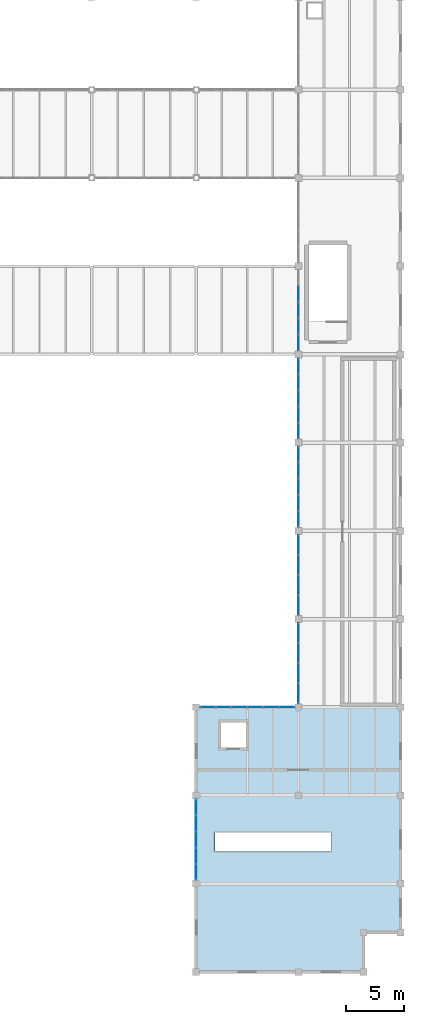
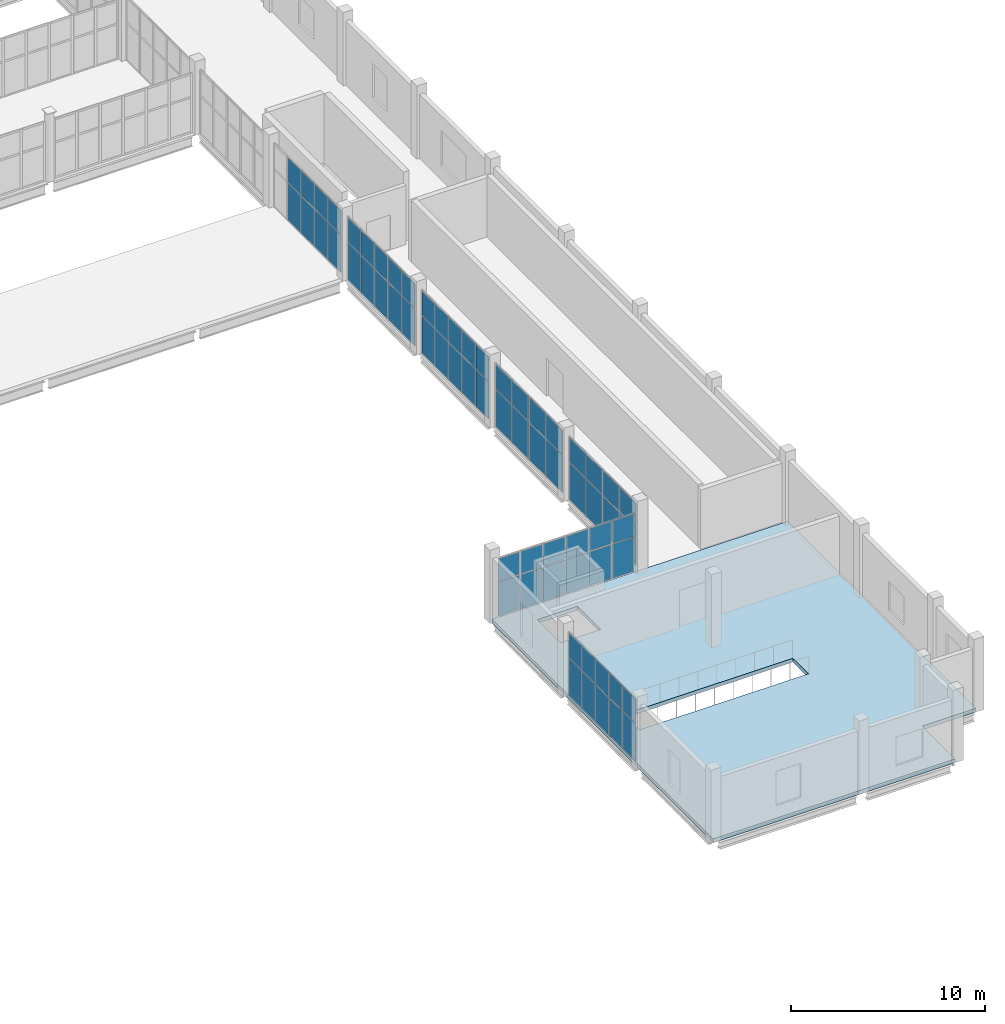
# One storey, part 105 of 136: 66 plates, 1 slab, 9 elements without a shape of their own.
"""IFC4 building model written with IfcOpenShell, lengths in metres."""

from ifc_helpers import new_model, si_unit, direction, frame, origin, origin_2d, place, context, subcontext, project, spatial, polyline, rectangle, outline, extrude, material, layer, layer_set, type_object, element, aggregate, save


model = new_model("IFC4")

# Units and contexts
model_context = context("Model", 3, precision=1e-05, world=origin(), true_north=direction((0.0, 1.0)))
body_context = subcontext(model_context, "Body", "Model", "MODEL_VIEW")
ifc_project = project(units=[si_unit("LENGTHUNIT", "METRE"), si_unit("AREAUNIT", "SQUARE_METRE"), si_unit("VOLUMEUNIT", "CUBIC_METRE"), si_unit("PLANEANGLEUNIT", "RADIAN"), si_unit("MASSUNIT", "GRAM", prefix="KILO")], contexts=[model_context])

# Site, building, storey
site_placement = place(None, origin())
site = spatial("IfcSite", under=ifc_project, at=site_placement, CompositionType="ELEMENT")
building_placement = place(site_placement, origin())
building = spatial("IfcBuilding", under=site, at=building_placement, Name="Shengluoqiao Park Theatre", CompositionType="ELEMENT")
storey_placement = place(building_placement, frame((0.0, 0.0, 10.0)))
storey = spatial("IfcBuildingStorey", under=building, at=storey_placement, Name="L02", CompositionType="ELEMENT", Elevation=10.0)

# Curtain wall, plates
ifc_material_1 = material(Name="Aluminium 6063-T6", Category="aluminium")
curtain_wall_type = type_object("IfcCurtainWallType", Name="ENV-CW-COURT", PredefinedType="NOTDEFINED", material=ifc_material_1)
curtain_wall_1_placement = place(storey_placement, origin())
curtain_wall_1 = element("IfcCurtainWall", 1, at=curtain_wall_1_placement, inside=storey, type_object=curtain_wall_type, Name="L02 Curtain Wall CWX-L02-0190", PredefinedType="NOTDEFINED")
ifc_material_2 = material(Name="Insulated glass", Category="glass")
ifc_layer_1 = layer(ifc_material_2, 0.0380859375, Name="Insulated glass")
ifc_layer_set_1 = layer_set([ifc_layer_1], Name="Insulated glass")
plate_type = type_object("IfcPlateType", Name="ENV-GLZ-GL-38", PredefinedType="CURTAIN_PANEL", material=ifc_layer_set_1)
plate_1_placement = place(storey_placement, frame((157.199951171875, 23.992919921875, 0.06005859375), z_axis=(0.0, 0.0, 1.0), x_axis=(0.0, 1.0, 0.0)))
plate_1 = element("IfcPlate", 2, at=plate_1_placement, type_object=plate_type, Name="CW-05 panel 1.1", PredefinedType="CURTAIN_PANEL", context=body_context, shape_type="SweptSolid", body=[
    extrude(rectangle(XDim=1.657958984375, YDim=0.0380859375, at=origin_2d()), origin(), (0.0, 0.0, 1.0), 2.330078125),
])
plate_2_placement = place(storey_placement, frame((157.199951171875, 23.992919921875, 2.449951171875), z_axis=(0.0, 0.0, 1.0), x_axis=(0.0, 1.0, 0.0)))
plate_2 = element("IfcPlate", 3, at=plate_2_placement, type_object=plate_type, Name="CW-05 panel 1.2", PredefinedType="CURTAIN_PANEL", context=body_context, shape_type="SweptSolid", body=[
    extrude(rectangle(XDim=1.657958984375, YDim=0.0380859375, at=origin_2d()), origin(), (0.0, 0.0, 1.0), 1.52392578125),
])
plate_3_placement = place(storey_placement, frame((157.199951171875, 25.7109375, 0.06005859375), z_axis=(0.0, 0.0, 1.0), x_axis=(0.0, 1.0, 0.0)))
plate_3 = element("IfcPlate", 4, at=plate_3_placement, type_object=plate_type, Name="CW-05 panel 2.1", PredefinedType="CURTAIN_PANEL", context=body_context, shape_type="SweptSolid", body=[
    extrude(rectangle(XDim=1.657958984375, YDim=0.0380859375, at=origin_2d()), origin(), (0.0, 0.0, 1.0), 2.330078125),
])
plate_4_placement = place(storey_placement, frame((157.199951171875, 25.7109375, 2.449951171875), z_axis=(0.0, 0.0, 1.0), x_axis=(0.0, 1.0, 0.0)))
plate_4 = element("IfcPlate", 5, at=plate_4_placement, type_object=plate_type, Name="CW-05 panel 2.2", PredefinedType="CURTAIN_PANEL", context=body_context, shape_type="SweptSolid", body=[
    extrude(rectangle(XDim=1.657958984375, YDim=0.0380859375, at=origin_2d()), origin(), (0.0, 0.0, 1.0), 1.52392578125),
])
aggregate(curtain_wall_1, [plate_1, plate_2, plate_3, plate_4])

curtain_wall_2_placement = place(storey_placement, origin())
curtain_wall_2 = element("IfcCurtainWall", 6, at=curtain_wall_2_placement, inside=storey, type_object=curtain_wall_type, Name="L02 Curtain Wall CWX-L02-0191", PredefinedType="NOTDEFINED")
plate_5_placement = place(storey_placement, frame((157.199951171875, 27.489013671875, 0.06005859375), z_axis=(0.0, 0.0, 1.0), x_axis=(0.0, 1.0, 0.0)))
plate_5 = element("IfcPlate", 7, at=plate_5_placement, type_object=plate_type, Name="CW-05 panel 1.1", PredefinedType="CURTAIN_PANEL", context=body_context, shape_type="SweptSolid", body=[
    extrude(rectangle(XDim=1.657958984375, YDim=0.0380859375, at=origin_2d()), origin(), (0.0, 0.0, 1.0), 2.330078125),
])
plate_6_placement = place(storey_placement, frame((157.199951171875, 27.489013671875, 2.449951171875), z_axis=(0.0, 0.0, 1.0), x_axis=(0.0, 1.0, 0.0)))
plate_6 = element("IfcPlate", 8, at=plate_6_placement, type_object=plate_type, Name="CW-05 panel 1.2", PredefinedType="CURTAIN_PANEL", context=body_context, shape_type="SweptSolid", body=[
    extrude(rectangle(XDim=1.657958984375, YDim=0.0380859375, at=origin_2d()), origin(), (0.0, 0.0, 1.0), 1.52392578125),
])
plate_7_placement = place(storey_placement, frame((157.199951171875, 29.20703125, 0.06005859375), z_axis=(0.0, 0.0, 1.0), x_axis=(0.0, 1.0, 0.0)))
plate_7 = element("IfcPlate", 9, at=plate_7_placement, type_object=plate_type, Name="CW-05 panel 2.1", PredefinedType="CURTAIN_PANEL", context=body_context, shape_type="SweptSolid", body=[
    extrude(rectangle(XDim=1.657958984375, YDim=0.0380859375, at=origin_2d()), origin(), (0.0, 0.0, 1.0), 2.330078125),
])
plate_8_placement = place(storey_placement, frame((157.199951171875, 29.20703125, 2.449951171875), z_axis=(0.0, 0.0, 1.0), x_axis=(0.0, 1.0, 0.0)))
plate_8 = element("IfcPlate", 10, at=plate_8_placement, type_object=plate_type, Name="CW-05 panel 2.2", PredefinedType="CURTAIN_PANEL", context=body_context, shape_type="SweptSolid", body=[
    extrude(rectangle(XDim=1.657958984375, YDim=0.0380859375, at=origin_2d()), origin(), (0.0, 0.0, 1.0), 1.52392578125),
])
aggregate(curtain_wall_2, [plate_5, plate_6, plate_7, plate_8])

curtain_wall_3_placement = place(storey_placement, origin())
curtain_wall_3 = element("IfcCurtainWall", 11, at=curtain_wall_3_placement, inside=storey, type_object=curtain_wall_type, Name="L02 Curtain Wall CWX-L02-0192", PredefinedType="NOTDEFINED")
plate_9_placement = place(storey_placement, frame((157.199951171875, 31.593017578125, 0.06005859375), z_axis=(0.0, 0.0, 1.0), x_axis=(0.0, 1.0, 0.0)))
plate_9 = element("IfcPlate", 12, at=plate_9_placement, type_object=plate_type, Name="CW-05 panel 1.1", PredefinedType="CURTAIN_PANEL", context=body_context, shape_type="SweptSolid", body=[
    extrude(rectangle(XDim=1.657958984375, YDim=0.0380859375, at=origin_2d()), origin(), (0.0, 0.0, 1.0), 2.330078125),
])
plate_10_placement = place(storey_placement, frame((157.199951171875, 31.593017578125, 2.449951171875), z_axis=(0.0, 0.0, 1.0), x_axis=(0.0, 1.0, 0.0)))
plate_10 = element("IfcPlate", 13, at=plate_10_placement, type_object=plate_type, Name="CW-05 panel 1.2", PredefinedType="CURTAIN_PANEL", context=body_context, shape_type="SweptSolid", body=[
    extrude(rectangle(XDim=1.657958984375, YDim=0.0380859375, at=origin_2d()), origin(), (0.0, 0.0, 1.0), 1.52392578125),
])
plate_11_placement = place(storey_placement, frame((157.199951171875, 33.31103515625, 0.06005859375), z_axis=(0.0, 0.0, 1.0), x_axis=(0.0, 1.0, 0.0)))
plate_11 = element("IfcPlate", 14, at=plate_11_placement, type_object=plate_type, Name="CW-05 panel 2.1", PredefinedType="CURTAIN_PANEL", context=body_context, shape_type="SweptSolid", body=[
    extrude(rectangle(XDim=1.657958984375, YDim=0.0380859375, at=origin_2d()), origin(), (0.0, 0.0, 1.0), 2.330078125),
])
plate_12_placement = place(storey_placement, frame((157.199951171875, 33.31103515625, 2.449951171875), z_axis=(0.0, 0.0, 1.0), x_axis=(0.0, 1.0, 0.0)))
plate_12 = element("IfcPlate", 15, at=plate_12_placement, type_object=plate_type, Name="CW-05 panel 2.2", PredefinedType="CURTAIN_PANEL", context=body_context, shape_type="SweptSolid", body=[
    extrude(rectangle(XDim=1.657958984375, YDim=0.0380859375, at=origin_2d()), origin(), (0.0, 0.0, 1.0), 1.52392578125),
])
aggregate(curtain_wall_3, [plate_9, plate_10, plate_11, plate_12])

curtain_wall_4_placement = place(storey_placement, origin())
curtain_wall_4 = element("IfcCurtainWall", 16, at=curtain_wall_4_placement, inside=storey, type_object=curtain_wall_type, Name="L02 Curtain Wall CWX-L02-0193", PredefinedType="NOTDEFINED")
plate_13_placement = place(storey_placement, frame((157.199951171875, 35.089111328125, 0.06005859375), z_axis=(0.0, 0.0, 1.0), x_axis=(0.0, 1.0, 0.0)))
plate_13 = element("IfcPlate", 17, at=plate_13_placement, type_object=plate_type, Name="CW-05 panel 1.1", PredefinedType="CURTAIN_PANEL", context=body_context, shape_type="SweptSolid", body=[
    extrude(rectangle(XDim=1.657958984375, YDim=0.0380859375, at=origin_2d()), origin(), (0.0, 0.0, 1.0), 2.330078125),
])
plate_14_placement = place(storey_placement, frame((157.199951171875, 35.089111328125, 2.449951171875), z_axis=(0.0, 0.0, 1.0), x_axis=(0.0, 1.0, 0.0)))
plate_14 = element("IfcPlate", 18, at=plate_14_placement, type_object=plate_type, Name="CW-05 panel 1.2", PredefinedType="CURTAIN_PANEL", context=body_context, shape_type="SweptSolid", body=[
    extrude(rectangle(XDim=1.657958984375, YDim=0.0380859375, at=origin_2d()), origin(), (0.0, 0.0, 1.0), 1.52392578125),
])
plate_15_placement = place(storey_placement, frame((157.199951171875, 36.806884765625, 0.06005859375), z_axis=(0.0, 0.0, 1.0), x_axis=(0.0, 1.0, 0.0)))
plate_15 = element("IfcPlate", 19, at=plate_15_placement, type_object=plate_type, Name="CW-05 panel 2.1", PredefinedType="CURTAIN_PANEL", context=body_context, shape_type="SweptSolid", body=[
    extrude(rectangle(XDim=1.657958984375, YDim=0.0380859375, at=origin_2d()), origin(), (0.0, 0.0, 1.0), 2.330078125),
])
plate_16_placement = place(storey_placement, frame((157.199951171875, 36.806884765625, 2.449951171875), z_axis=(0.0, 0.0, 1.0), x_axis=(0.0, 1.0, 0.0)))
plate_16 = element("IfcPlate", 20, at=plate_16_placement, type_object=plate_type, Name="CW-05 panel 2.2", PredefinedType="CURTAIN_PANEL", context=body_context, shape_type="SweptSolid", body=[
    extrude(rectangle(XDim=1.657958984375, YDim=0.0380859375, at=origin_2d()), origin(), (0.0, 0.0, 1.0), 1.52392578125),
])
aggregate(curtain_wall_4, [plate_13, plate_14, plate_15, plate_16])

curtain_wall_5_placement = place(storey_placement, origin())
curtain_wall_5 = element("IfcCurtainWall", 21, at=curtain_wall_5_placement, inside=storey, type_object=curtain_wall_type, Name="L02 Curtain Wall CWX-L02-0194", PredefinedType="NOTDEFINED")
plate_17_placement = place(storey_placement, frame((157.199951171875, 39.018310546875, 0.06005859375), z_axis=(0.0, 0.0, 1.0), x_axis=(0.0, 1.0, 0.0)))
plate_17 = element("IfcPlate", 22, at=plate_17_placement, type_object=plate_type, Name="CW-05 panel 1.1", PredefinedType="CURTAIN_PANEL", context=body_context, shape_type="SweptSolid", body=[
    extrude(rectangle(XDim=1.308349609375, YDim=0.0380859375, at=origin_2d()), origin(), (0.0, 0.0, 1.0), 2.330078125),
])
plate_18_placement = place(storey_placement, frame((157.199951171875, 39.018310546875, 2.449951171875), z_axis=(0.0, 0.0, 1.0), x_axis=(0.0, 1.0, 0.0)))
plate_18 = element("IfcPlate", 23, at=plate_18_placement, type_object=plate_type, Name="CW-05 panel 1.2", PredefinedType="CURTAIN_PANEL", context=body_context, shape_type="SweptSolid", body=[
    extrude(rectangle(XDim=1.308349609375, YDim=0.0380859375, at=origin_2d()), origin(), (0.0, 0.0, 1.0), 1.52392578125),
])
plate_19_placement = place(storey_placement, frame((157.199951171875, 40.401611328125, 0.06005859375), z_axis=(0.0, 0.0, 1.0), x_axis=(0.0, 1.0, 0.0)))
plate_19 = element("IfcPlate", 24, at=plate_19_placement, type_object=plate_type, Name="CW-05 panel 2.1", PredefinedType="CURTAIN_PANEL", context=body_context, shape_type="SweptSolid", body=[
    extrude(rectangle(XDim=1.33837890625, YDim=0.0380859375, at=origin_2d()), origin(), (0.0, 0.0, 1.0), 2.330078125),
])
plate_20_placement = place(storey_placement, frame((157.199951171875, 40.401611328125, 2.449951171875), z_axis=(0.0, 0.0, 1.0), x_axis=(0.0, 1.0, 0.0)))
plate_20 = element("IfcPlate", 25, at=plate_20_placement, type_object=plate_type, Name="CW-05 panel 2.2", PredefinedType="CURTAIN_PANEL", context=body_context, shape_type="SweptSolid", body=[
    extrude(rectangle(XDim=1.33837890625, YDim=0.0380859375, at=origin_2d()), origin(), (0.0, 0.0, 1.0), 1.52392578125),
])
plate_21_placement = place(storey_placement, frame((157.199951171875, 41.800048828125, 0.06005859375), z_axis=(0.0, 0.0, 1.0), x_axis=(0.0, 1.0, 0.0)))
plate_21 = element("IfcPlate", 26, at=plate_21_placement, type_object=plate_type, Name="CW-05 panel 3.1", PredefinedType="CURTAIN_PANEL", context=body_context, shape_type="SweptSolid", body=[
    extrude(rectangle(XDim=1.33837890625, YDim=0.0380859375, at=origin_2d()), origin(), (0.0, 0.0, 1.0), 2.330078125),
])
plate_22_placement = place(storey_placement, frame((157.199951171875, 41.800048828125, 2.449951171875), z_axis=(0.0, 0.0, 1.0), x_axis=(0.0, 1.0, 0.0)))
plate_22 = element("IfcPlate", 27, at=plate_22_placement, type_object=plate_type, Name="CW-05 panel 3.2", PredefinedType="CURTAIN_PANEL", context=body_context, shape_type="SweptSolid", body=[
    extrude(rectangle(XDim=1.33837890625, YDim=0.0380859375, at=origin_2d()), origin(), (0.0, 0.0, 1.0), 1.52392578125),
])
plate_23_placement = place(storey_placement, frame((157.199951171875, 43.198486328125, 0.06005859375), z_axis=(0.0, 0.0, 1.0), x_axis=(0.0, 1.0, 0.0)))
plate_23 = element("IfcPlate", 28, at=plate_23_placement, type_object=plate_type, Name="CW-05 panel 4.1", PredefinedType="CURTAIN_PANEL", context=body_context, shape_type="SweptSolid", body=[
    extrude(rectangle(XDim=1.33837890625, YDim=0.0380859375, at=origin_2d()), origin(), (0.0, 0.0, 1.0), 2.330078125),
])
plate_24_placement = place(storey_placement, frame((157.199951171875, 43.198486328125, 2.449951171875), z_axis=(0.0, 0.0, 1.0), x_axis=(0.0, 1.0, 0.0)))
plate_24 = element("IfcPlate", 29, at=plate_24_placement, type_object=plate_type, Name="CW-05 panel 4.2", PredefinedType="CURTAIN_PANEL", context=body_context, shape_type="SweptSolid", body=[
    extrude(rectangle(XDim=1.33837890625, YDim=0.0380859375, at=origin_2d()), origin(), (0.0, 0.0, 1.0), 1.52392578125),
])
plate_25_placement = place(storey_placement, frame((157.199951171875, 44.581787109375, 0.06005859375), z_axis=(0.0, 0.0, 1.0), x_axis=(0.0, 1.0, 0.0)))
plate_25 = element("IfcPlate", 30, at=plate_25_placement, type_object=plate_type, Name="CW-05 panel 5.1", PredefinedType="CURTAIN_PANEL", context=body_context, shape_type="SweptSolid", body=[
    extrude(rectangle(XDim=1.308349609375, YDim=0.0380859375, at=origin_2d()), origin(), (0.0, 0.0, 1.0), 2.330078125),
])
plate_26_placement = place(storey_placement, frame((157.199951171875, 44.581787109375, 2.449951171875), z_axis=(0.0, 0.0, 1.0), x_axis=(0.0, 1.0, 0.0)))
plate_26 = element("IfcPlate", 31, at=plate_26_placement, type_object=plate_type, Name="CW-05 panel 5.2", PredefinedType="CURTAIN_PANEL", context=body_context, shape_type="SweptSolid", body=[
    extrude(rectangle(XDim=1.308349609375, YDim=0.0380859375, at=origin_2d()), origin(), (0.0, 0.0, 1.0), 1.52392578125),
])
aggregate(curtain_wall_5, [plate_17, plate_18, plate_19, plate_20, plate_21, plate_22, plate_23, plate_24, plate_25, plate_26])

curtain_wall_6_placement = place(storey_placement, origin())
curtain_wall_6 = element("IfcCurtainWall", 32, at=curtain_wall_6_placement, inside=storey, type_object=curtain_wall_type, Name="L02 Curtain Wall CWX-L02-0195", PredefinedType="NOTDEFINED")
plate_27_placement = place(storey_placement, frame((157.199951171875, 46.6181640625, 0.06005859375), z_axis=(0.0, 0.0, 1.0), x_axis=(0.0, 1.0, 0.0)))
plate_27 = element("IfcPlate", 33, at=plate_27_placement, type_object=plate_type, Name="CW-05 panel 1.1", PredefinedType="CURTAIN_PANEL", context=body_context, shape_type="SweptSolid", body=[
    extrude(rectangle(XDim=1.308349609375, YDim=0.0380859375, at=origin_2d()), origin(), (0.0, 0.0, 1.0), 2.330078125),
])
plate_28_placement = place(storey_placement, frame((157.199951171875, 46.6181640625, 2.449951171875), z_axis=(0.0, 0.0, 1.0), x_axis=(0.0, 1.0, 0.0)))
plate_28 = element("IfcPlate", 34, at=plate_28_placement, type_object=plate_type, Name="CW-05 panel 1.2", PredefinedType="CURTAIN_PANEL", context=body_context, shape_type="SweptSolid", body=[
    extrude(rectangle(XDim=1.308349609375, YDim=0.0380859375, at=origin_2d()), origin(), (0.0, 0.0, 1.0), 1.52392578125),
])
plate_29_placement = place(storey_placement, frame((157.199951171875, 48.001708984375, 0.06005859375), z_axis=(0.0, 0.0, 1.0), x_axis=(0.0, 1.0, 0.0)))
plate_29 = element("IfcPlate", 35, at=plate_29_placement, type_object=plate_type, Name="CW-05 panel 2.1", PredefinedType="CURTAIN_PANEL", context=body_context, shape_type="SweptSolid", body=[
    extrude(rectangle(XDim=1.33837890625, YDim=0.0380859375, at=origin_2d()), origin(), (0.0, 0.0, 1.0), 2.330078125),
])
plate_30_placement = place(storey_placement, frame((157.199951171875, 48.001708984375, 2.449951171875), z_axis=(0.0, 0.0, 1.0), x_axis=(0.0, 1.0, 0.0)))
plate_30 = element("IfcPlate", 36, at=plate_30_placement, type_object=plate_type, Name="CW-05 panel 2.2", PredefinedType="CURTAIN_PANEL", context=body_context, shape_type="SweptSolid", body=[
    extrude(rectangle(XDim=1.33837890625, YDim=0.0380859375, at=origin_2d()), origin(), (0.0, 0.0, 1.0), 1.52392578125),
])
plate_31_placement = place(storey_placement, frame((157.199951171875, 49.39990234375, 0.06005859375), z_axis=(0.0, 0.0, 1.0), x_axis=(0.0, 1.0, 0.0)))
plate_31 = element("IfcPlate", 37, at=plate_31_placement, type_object=plate_type, Name="CW-05 panel 3.1", PredefinedType="CURTAIN_PANEL", context=body_context, shape_type="SweptSolid", body=[
    extrude(rectangle(XDim=1.33837890625, YDim=0.0380859375, at=origin_2d()), origin(), (0.0, 0.0, 1.0), 2.330078125),
])
plate_32_placement = place(storey_placement, frame((157.199951171875, 49.39990234375, 2.449951171875), z_axis=(0.0, 0.0, 1.0), x_axis=(0.0, 1.0, 0.0)))
plate_32 = element("IfcPlate", 38, at=plate_32_placement, type_object=plate_type, Name="CW-05 panel 3.2", PredefinedType="CURTAIN_PANEL", context=body_context, shape_type="SweptSolid", body=[
    extrude(rectangle(XDim=1.33837890625, YDim=0.0380859375, at=origin_2d()), origin(), (0.0, 0.0, 1.0), 1.52392578125),
])
plate_33_placement = place(storey_placement, frame((157.199951171875, 50.79833984375, 0.06005859375), z_axis=(0.0, 0.0, 1.0), x_axis=(0.0, 1.0, 0.0)))
plate_33 = element("IfcPlate", 39, at=plate_33_placement, type_object=plate_type, Name="CW-05 panel 4.1", PredefinedType="CURTAIN_PANEL", context=body_context, shape_type="SweptSolid", body=[
    extrude(rectangle(XDim=1.33837890625, YDim=0.0380859375, at=origin_2d()), origin(), (0.0, 0.0, 1.0), 2.330078125),
])
plate_34_placement = place(storey_placement, frame((157.199951171875, 50.79833984375, 2.449951171875), z_axis=(0.0, 0.0, 1.0), x_axis=(0.0, 1.0, 0.0)))
plate_34 = element("IfcPlate", 40, at=plate_34_placement, type_object=plate_type, Name="CW-05 panel 4.2", PredefinedType="CURTAIN_PANEL", context=body_context, shape_type="SweptSolid", body=[
    extrude(rectangle(XDim=1.33837890625, YDim=0.0380859375, at=origin_2d()), origin(), (0.0, 0.0, 1.0), 1.52392578125),
])
plate_35_placement = place(storey_placement, frame((157.199951171875, 52.181884765625, 0.06005859375), z_axis=(0.0, 0.0, 1.0), x_axis=(0.0, 1.0, 0.0)))
plate_35 = element("IfcPlate", 41, at=plate_35_placement, type_object=plate_type, Name="CW-05 panel 5.1", PredefinedType="CURTAIN_PANEL", context=body_context, shape_type="SweptSolid", body=[
    extrude(rectangle(XDim=1.308349609375, YDim=0.0380859375, at=origin_2d()), origin(), (0.0, 0.0, 1.0), 2.330078125),
])
plate_36_placement = place(storey_placement, frame((157.199951171875, 52.181884765625, 2.449951171875), z_axis=(0.0, 0.0, 1.0), x_axis=(0.0, 1.0, 0.0)))
plate_36 = element("IfcPlate", 42, at=plate_36_placement, type_object=plate_type, Name="CW-05 panel 5.2", PredefinedType="CURTAIN_PANEL", context=body_context, shape_type="SweptSolid", body=[
    extrude(rectangle(XDim=1.308349609375, YDim=0.0380859375, at=origin_2d()), origin(), (0.0, 0.0, 1.0), 1.52392578125),
])
aggregate(curtain_wall_6, [plate_27, plate_28, plate_29, plate_30, plate_31, plate_32, plate_33, plate_34, plate_35, plate_36])

curtain_wall_7_placement = place(storey_placement, origin())
curtain_wall_7 = element("IfcCurtainWall", 43, at=curtain_wall_7_placement, inside=storey, type_object=curtain_wall_type, Name="L02 Curtain Wall CWX-L02-0196", PredefinedType="NOTDEFINED")
plate_37_placement = place(storey_placement, frame((157.199951171875, 54.21826171875, 0.06005859375), z_axis=(0.0, 0.0, 1.0), x_axis=(0.0, 1.0, 0.0)))
plate_37 = element("IfcPlate", 44, at=plate_37_placement, type_object=plate_type, Name="CW-05 panel 1.1", PredefinedType="CURTAIN_PANEL", context=body_context, shape_type="SweptSolid", body=[
    extrude(rectangle(XDim=1.308349609375, YDim=0.0380859375, at=origin_2d()), origin(), (0.0, 0.0, 1.0), 2.330078125),
])
plate_38_placement = place(storey_placement, frame((157.199951171875, 54.21826171875, 2.449951171875), z_axis=(0.0, 0.0, 1.0), x_axis=(0.0, 1.0, 0.0)))
plate_38 = element("IfcPlate", 45, at=plate_38_placement, type_object=plate_type, Name="CW-05 panel 1.2", PredefinedType="CURTAIN_PANEL", context=body_context, shape_type="SweptSolid", body=[
    extrude(rectangle(XDim=1.308349609375, YDim=0.0380859375, at=origin_2d()), origin(), (0.0, 0.0, 1.0), 1.52392578125),
])
plate_39_placement = place(storey_placement, frame((157.199951171875, 55.6015625, 0.06005859375), z_axis=(0.0, 0.0, 1.0), x_axis=(0.0, 1.0, 0.0)))
plate_39 = element("IfcPlate", 46, at=plate_39_placement, type_object=plate_type, Name="CW-05 panel 2.1", PredefinedType="CURTAIN_PANEL", context=body_context, shape_type="SweptSolid", body=[
    extrude(rectangle(XDim=1.33837890625, YDim=0.0380859375, at=origin_2d()), origin(), (0.0, 0.0, 1.0), 2.330078125),
])
plate_40_placement = place(storey_placement, frame((157.199951171875, 55.6015625, 2.449951171875), z_axis=(0.0, 0.0, 1.0), x_axis=(0.0, 1.0, 0.0)))
plate_40 = element("IfcPlate", 47, at=plate_40_placement, type_object=plate_type, Name="CW-05 panel 2.2", PredefinedType="CURTAIN_PANEL", context=body_context, shape_type="SweptSolid", body=[
    extrude(rectangle(XDim=1.33837890625, YDim=0.0380859375, at=origin_2d()), origin(), (0.0, 0.0, 1.0), 1.52392578125),
])
plate_41_placement = place(storey_placement, frame((157.199951171875, 57.0, 0.06005859375), z_axis=(0.0, 0.0, 1.0), x_axis=(0.0, 1.0, 0.0)))
plate_41 = element("IfcPlate", 48, at=plate_41_placement, type_object=plate_type, Name="CW-05 panel 3.1", PredefinedType="CURTAIN_PANEL", context=body_context, shape_type="SweptSolid", body=[
    extrude(rectangle(XDim=1.33837890625, YDim=0.0380859375, at=origin_2d()), origin(), (0.0, 0.0, 1.0), 2.330078125),
])
plate_42_placement = place(storey_placement, frame((157.199951171875, 57.0, 2.449951171875), z_axis=(0.0, 0.0, 1.0), x_axis=(0.0, 1.0, 0.0)))
plate_42 = element("IfcPlate", 49, at=plate_42_placement, type_object=plate_type, Name="CW-05 panel 3.2", PredefinedType="CURTAIN_PANEL", context=body_context, shape_type="SweptSolid", body=[
    extrude(rectangle(XDim=1.33837890625, YDim=0.0380859375, at=origin_2d()), origin(), (0.0, 0.0, 1.0), 1.52392578125),
])
plate_43_placement = place(storey_placement, frame((157.199951171875, 58.3984375, 0.06005859375), z_axis=(0.0, 0.0, 1.0), x_axis=(0.0, 1.0, 0.0)))
plate_43 = element("IfcPlate", 50, at=plate_43_placement, type_object=plate_type, Name="CW-05 panel 4.1", PredefinedType="CURTAIN_PANEL", context=body_context, shape_type="SweptSolid", body=[
    extrude(rectangle(XDim=1.33837890625, YDim=0.0380859375, at=origin_2d()), origin(), (0.0, 0.0, 1.0), 2.330078125),
])
plate_44_placement = place(storey_placement, frame((157.199951171875, 58.3984375, 2.449951171875), z_axis=(0.0, 0.0, 1.0), x_axis=(0.0, 1.0, 0.0)))
plate_44 = element("IfcPlate", 51, at=plate_44_placement, type_object=plate_type, Name="CW-05 panel 4.2", PredefinedType="CURTAIN_PANEL", context=body_context, shape_type="SweptSolid", body=[
    extrude(rectangle(XDim=1.33837890625, YDim=0.0380859375, at=origin_2d()), origin(), (0.0, 0.0, 1.0), 1.52392578125),
])
aggregate(curtain_wall_7, [plate_37, plate_38, plate_39, plate_40, plate_41, plate_42, plate_43, plate_44])

curtain_wall_8_placement = place(storey_placement, origin())
curtain_wall_8 = element("IfcCurtainWall", 52, at=curtain_wall_8_placement, inside=storey, type_object=curtain_wall_type, Name="L02 Curtain Wall CWX-L02-0207", PredefinedType="NOTDEFINED")
plate_45_placement = place(storey_placement, frame((148.39990234375, 8.6181640625, 0.06005859375), z_axis=(0.0, 0.0, 1.0), x_axis=(0.0, 1.0, 0.0)))
plate_45 = element("IfcPlate", 53, at=plate_45_placement, type_object=plate_type, Name="CW-05 panel 1.1", PredefinedType="CURTAIN_PANEL", context=body_context, shape_type="SweptSolid", body=[
    extrude(rectangle(XDim=1.308349609375, YDim=0.0380859375, at=origin_2d()), origin(), (0.0, 0.0, 1.0), 2.330078125),
])
plate_46_placement = place(storey_placement, frame((148.39990234375, 8.6181640625, 2.449951171875), z_axis=(0.0, 0.0, 1.0), x_axis=(0.0, 1.0, 0.0)))
plate_46 = element("IfcPlate", 54, at=plate_46_placement, type_object=plate_type, Name="CW-05 panel 1.2", PredefinedType="CURTAIN_PANEL", context=body_context, shape_type="SweptSolid", body=[
    extrude(rectangle(XDim=1.308349609375, YDim=0.0380859375, at=origin_2d()), origin(), (0.0, 0.0, 1.0), 1.52392578125),
])
plate_47_placement = place(storey_placement, frame((148.39990234375, 10.001708984375, 0.06005859375), z_axis=(0.0, 0.0, 1.0), x_axis=(0.0, 1.0, 0.0)))
plate_47 = element("IfcPlate", 55, at=plate_47_placement, type_object=plate_type, Name="CW-05 panel 2.1", PredefinedType="CURTAIN_PANEL", context=body_context, shape_type="SweptSolid", body=[
    extrude(rectangle(XDim=1.33837890625, YDim=0.0380859375, at=origin_2d()), origin(), (0.0, 0.0, 1.0), 2.330078125),
])
plate_48_placement = place(storey_placement, frame((148.39990234375, 10.001708984375, 2.449951171875), z_axis=(0.0, 0.0, 1.0), x_axis=(0.0, 1.0, 0.0)))
plate_48 = element("IfcPlate", 56, at=plate_48_placement, type_object=plate_type, Name="CW-05 panel 2.2", PredefinedType="CURTAIN_PANEL", context=body_context, shape_type="SweptSolid", body=[
    extrude(rectangle(XDim=1.33837890625, YDim=0.0380859375, at=origin_2d()), origin(), (0.0, 0.0, 1.0), 1.52392578125),
])
plate_49_placement = place(storey_placement, frame((148.39990234375, 11.39990234375, 0.06005859375), z_axis=(0.0, 0.0, 1.0), x_axis=(0.0, 1.0, 0.0)))
plate_49 = element("IfcPlate", 57, at=plate_49_placement, type_object=plate_type, Name="CW-05 panel 3.1", PredefinedType="CURTAIN_PANEL", context=body_context, shape_type="SweptSolid", body=[
    extrude(rectangle(XDim=1.33837890625, YDim=0.0380859375, at=origin_2d()), origin(), (0.0, 0.0, 1.0), 2.330078125),
])
plate_50_placement = place(storey_placement, frame((148.39990234375, 11.39990234375, 2.449951171875), z_axis=(0.0, 0.0, 1.0), x_axis=(0.0, 1.0, 0.0)))
plate_50 = element("IfcPlate", 58, at=plate_50_placement, type_object=plate_type, Name="CW-05 panel 3.2", PredefinedType="CURTAIN_PANEL", context=body_context, shape_type="SweptSolid", body=[
    extrude(rectangle(XDim=1.33837890625, YDim=0.0380859375, at=origin_2d()), origin(), (0.0, 0.0, 1.0), 1.52392578125),
])
plate_51_placement = place(storey_placement, frame((148.39990234375, 12.79833984375, 0.06005859375), z_axis=(0.0, 0.0, 1.0), x_axis=(0.0, 1.0, 0.0)))
plate_51 = element("IfcPlate", 59, at=plate_51_placement, type_object=plate_type, Name="CW-05 panel 4.1", PredefinedType="CURTAIN_PANEL", context=body_context, shape_type="SweptSolid", body=[
    extrude(rectangle(XDim=1.33837890625, YDim=0.0380859375, at=origin_2d()), origin(), (0.0, 0.0, 1.0), 2.330078125),
])
plate_52_placement = place(storey_placement, frame((148.39990234375, 12.79833984375, 2.449951171875), z_axis=(0.0, 0.0, 1.0), x_axis=(0.0, 1.0, 0.0)))
plate_52 = element("IfcPlate", 60, at=plate_52_placement, type_object=plate_type, Name="CW-05 panel 4.2", PredefinedType="CURTAIN_PANEL", context=body_context, shape_type="SweptSolid", body=[
    extrude(rectangle(XDim=1.33837890625, YDim=0.0380859375, at=origin_2d()), origin(), (0.0, 0.0, 1.0), 1.52392578125),
])
plate_53_placement = place(storey_placement, frame((148.39990234375, 14.181884765625, 0.06005859375), z_axis=(0.0, 0.0, 1.0), x_axis=(0.0, 1.0, 0.0)))
plate_53 = element("IfcPlate", 61, at=plate_53_placement, type_object=plate_type, Name="CW-05 panel 5.1", PredefinedType="CURTAIN_PANEL", context=body_context, shape_type="SweptSolid", body=[
    extrude(rectangle(XDim=1.308349609375, YDim=0.0380859375, at=origin_2d()), origin(), (0.0, 0.0, 1.0), 2.330078125),
])
plate_54_placement = place(storey_placement, frame((148.39990234375, 14.181884765625, 2.449951171875), z_axis=(0.0, 0.0, 1.0), x_axis=(0.0, 1.0, 0.0)))
plate_54 = element("IfcPlate", 62, at=plate_54_placement, type_object=plate_type, Name="CW-05 panel 5.2", PredefinedType="CURTAIN_PANEL", context=body_context, shape_type="SweptSolid", body=[
    extrude(rectangle(XDim=1.308349609375, YDim=0.0380859375, at=origin_2d()), origin(), (0.0, 0.0, 1.0), 1.52392578125),
])
aggregate(curtain_wall_8, [plate_45, plate_46, plate_47, plate_48, plate_49, plate_50, plate_51, plate_52, plate_53, plate_54])

curtain_wall_9_placement = place(storey_placement, origin())
curtain_wall_9 = element("IfcCurtainWall", 63, at=curtain_wall_9_placement, inside=storey, type_object=curtain_wall_type, Name="L02 Curtain Wall CWX-L02-0208", PredefinedType="NOTDEFINED")
plate_55_placement = place(storey_placement, frame((149.401611328125, 22.800048828125, 0.06005859375), z_axis=(0.0, 0.0, 1.0), x_axis=(1.0, 0.0, 0.0)))
plate_55 = element("IfcPlate", 64, at=plate_55_placement, type_object=plate_type, Name="CW-05 panel 1.1", PredefinedType="CURTAIN_PANEL", context=body_context, shape_type="SweptSolid", body=[
    extrude(rectangle(XDim=1.275390625, YDim=0.0380859375, at=origin_2d()), origin(), (0.0, 0.0, 1.0), 2.14697265625),
])
plate_56_placement = place(storey_placement, frame((149.401611328125, 22.800048828125, 2.26708984375), z_axis=(0.0, 0.0, 1.0), x_axis=(1.0, 0.0, 0.0)))
plate_56 = element("IfcPlate", 65, at=plate_56_placement, type_object=plate_type, Name="CW-05 panel 1.2", PredefinedType="CURTAIN_PANEL", context=body_context, shape_type="SweptSolid", body=[
    extrude(rectangle(XDim=1.275390625, YDim=0.0380859375, at=origin_2d()), origin(), (0.0, 0.0, 1.0), 1.40087890625),
])
plate_57_placement = place(storey_placement, frame((150.751953125, 22.800048828125, 0.06005859375), z_axis=(0.0, 0.0, 1.0), x_axis=(1.0, 0.0, 0.0)))
plate_57 = element("IfcPlate", 66, at=plate_57_placement, type_object=plate_type, Name="CW-05 panel 2.1", PredefinedType="CURTAIN_PANEL", context=body_context, shape_type="SweptSolid", body=[
    extrude(rectangle(XDim=1.305419921875, YDim=0.0380859375, at=origin_2d()), origin(), (0.0, 0.0, 1.0), 2.14697265625),
])
plate_58_placement = place(storey_placement, frame((150.751953125, 22.800048828125, 2.26708984375), z_axis=(0.0, 0.0, 1.0), x_axis=(1.0, 0.0, 0.0)))
plate_58 = element("IfcPlate", 67, at=plate_58_placement, type_object=plate_type, Name="CW-05 panel 2.2", PredefinedType="CURTAIN_PANEL", context=body_context, shape_type="SweptSolid", body=[
    extrude(rectangle(XDim=1.305419921875, YDim=0.0380859375, at=origin_2d()), origin(), (0.0, 0.0, 1.0), 1.40087890625),
])
plate_59_placement = place(storey_placement, frame((152.117431640625, 22.800048828125, 0.06005859375), z_axis=(0.0, 0.0, 1.0), x_axis=(1.0, 0.0, 0.0)))
plate_59 = element("IfcPlate", 68, at=plate_59_placement, type_object=plate_type, Name="CW-05 panel 3.1", PredefinedType="CURTAIN_PANEL", context=body_context, shape_type="SweptSolid", body=[
    extrude(rectangle(XDim=1.305419921875, YDim=0.0380859375, at=origin_2d()), origin(), (0.0, 0.0, 1.0), 2.14697265625),
])
plate_60_placement = place(storey_placement, frame((152.117431640625, 22.800048828125, 2.26708984375), z_axis=(0.0, 0.0, 1.0), x_axis=(1.0, 0.0, 0.0)))
plate_60 = element("IfcPlate", 69, at=plate_60_placement, type_object=plate_type, Name="CW-05 panel 3.2", PredefinedType="CURTAIN_PANEL", context=body_context, shape_type="SweptSolid", body=[
    extrude(rectangle(XDim=1.305419921875, YDim=0.0380859375, at=origin_2d()), origin(), (0.0, 0.0, 1.0), 1.40087890625),
])
plate_61_placement = place(storey_placement, frame((153.482666015625, 22.800048828125, 0.06005859375), z_axis=(0.0, 0.0, 1.0), x_axis=(1.0, 0.0, 0.0)))
plate_61 = element("IfcPlate", 70, at=plate_61_placement, type_object=plate_type, Name="CW-05 panel 4.1", PredefinedType="CURTAIN_PANEL", context=body_context, shape_type="SweptSolid", body=[
    extrude(rectangle(XDim=1.305419921875, YDim=0.0380859375, at=origin_2d()), origin(), (0.0, 0.0, 1.0), 2.14697265625),
])
plate_62_placement = place(storey_placement, frame((153.482666015625, 22.800048828125, 2.26708984375), z_axis=(0.0, 0.0, 1.0), x_axis=(1.0, 0.0, 0.0)))
plate_62 = element("IfcPlate", 71, at=plate_62_placement, type_object=plate_type, Name="CW-05 panel 4.2", PredefinedType="CURTAIN_PANEL", context=body_context, shape_type="SweptSolid", body=[
    extrude(rectangle(XDim=1.305419921875, YDim=0.0380859375, at=origin_2d()), origin(), (0.0, 0.0, 1.0), 1.40087890625),
])
plate_63_placement = place(storey_placement, frame((154.847900390625, 22.800048828125, 0.06005859375), z_axis=(0.0, 0.0, 1.0), x_axis=(1.0, 0.0, 0.0)))
plate_63 = element("IfcPlate", 72, at=plate_63_placement, type_object=plate_type, Name="CW-05 panel 5.1", PredefinedType="CURTAIN_PANEL", context=body_context, shape_type="SweptSolid", body=[
    extrude(rectangle(XDim=1.305419921875, YDim=0.0380859375, at=origin_2d()), origin(), (0.0, 0.0, 1.0), 2.14697265625),
])
plate_64_placement = place(storey_placement, frame((154.847900390625, 22.800048828125, 2.26708984375), z_axis=(0.0, 0.0, 1.0), x_axis=(1.0, 0.0, 0.0)))
plate_64 = element("IfcPlate", 73, at=plate_64_placement, type_object=plate_type, Name="CW-05 panel 5.2", PredefinedType="CURTAIN_PANEL", context=body_context, shape_type="SweptSolid", body=[
    extrude(rectangle(XDim=1.305419921875, YDim=0.0380859375, at=origin_2d()), origin(), (0.0, 0.0, 1.0), 1.40087890625),
])
plate_65_placement = place(storey_placement, frame((156.1982421875, 22.800048828125, 0.06005859375), z_axis=(0.0, 0.0, 1.0), x_axis=(1.0, 0.0, 0.0)))
plate_65 = element("IfcPlate", 74, at=plate_65_placement, type_object=plate_type, Name="CW-05 panel 6.1", PredefinedType="CURTAIN_PANEL", context=body_context, shape_type="SweptSolid", body=[
    extrude(rectangle(XDim=1.275390625, YDim=0.0380859375, at=origin_2d()), origin(), (0.0, 0.0, 1.0), 2.14697265625),
])
plate_66_placement = place(storey_placement, frame((156.1982421875, 22.800048828125, 2.26708984375), z_axis=(0.0, 0.0, 1.0), x_axis=(1.0, 0.0, 0.0)))
plate_66 = element("IfcPlate", 75, at=plate_66_placement, type_object=plate_type, Name="CW-05 panel 6.2", PredefinedType="CURTAIN_PANEL", context=body_context, shape_type="SweptSolid", body=[
    extrude(rectangle(XDim=1.275390625, YDim=0.0380859375, at=origin_2d()), origin(), (0.0, 0.0, 1.0), 1.40087890625),
])
aggregate(curtain_wall_9, [plate_55, plate_56, plate_57, plate_58, plate_59, plate_60, plate_61, plate_62, plate_63, plate_64, plate_65, plate_66])

# Slab
ifc_material_3 = material(Name="Concrete C35", Category="concrete")
ifc_layer_2 = layer(ifc_material_3, 0.239990234375, Name="Concrete C35")
ifc_layer_set_2 = layer_set([ifc_layer_2], Name="Concrete C35")
slab_type = type_object("IfcSlabType", Name="STR-SLB-FL240", PredefinedType="FLOOR", material=ifc_layer_set_2)
slab_placement = place(storey_placement, frame((0.0, 0.0, -0.239990234375)))
element("IfcSlab", 76, at=slab_placement, inside=storey, type_object=slab_type, Name="Floor Slab L02-V6-SE", PredefinedType="FLOOR", context=body_context, shape_type="SweptSolid", body=[
    extrude(outline(polyline([(148.39990234375, 22.800048828125), (166.0, 22.800048828125), (166.0, 3.39990234375), (162.800048828125, 3.39990234375), (162.800048828125, 0.0), (148.39990234375, 0.0), (148.39990234375, 22.800048828125)]), holes=[polyline([(160.06591796875, 10.39990234375), (160.06591796875, 12.0), (150.0, 12.0), (150.0, 10.39990234375), (160.06591796875, 10.39990234375)]), polyline([(152.800048828125, 19.199951171875), (152.800048828125, 21.60009765625), (150.39990234375, 21.60009765625), (150.39990234375, 19.199951171875), (152.800048828125, 19.199951171875)])]), origin(), (0.0, 0.0, 1.0), 0.239990234375),
])

save(model, "model.ifc")
